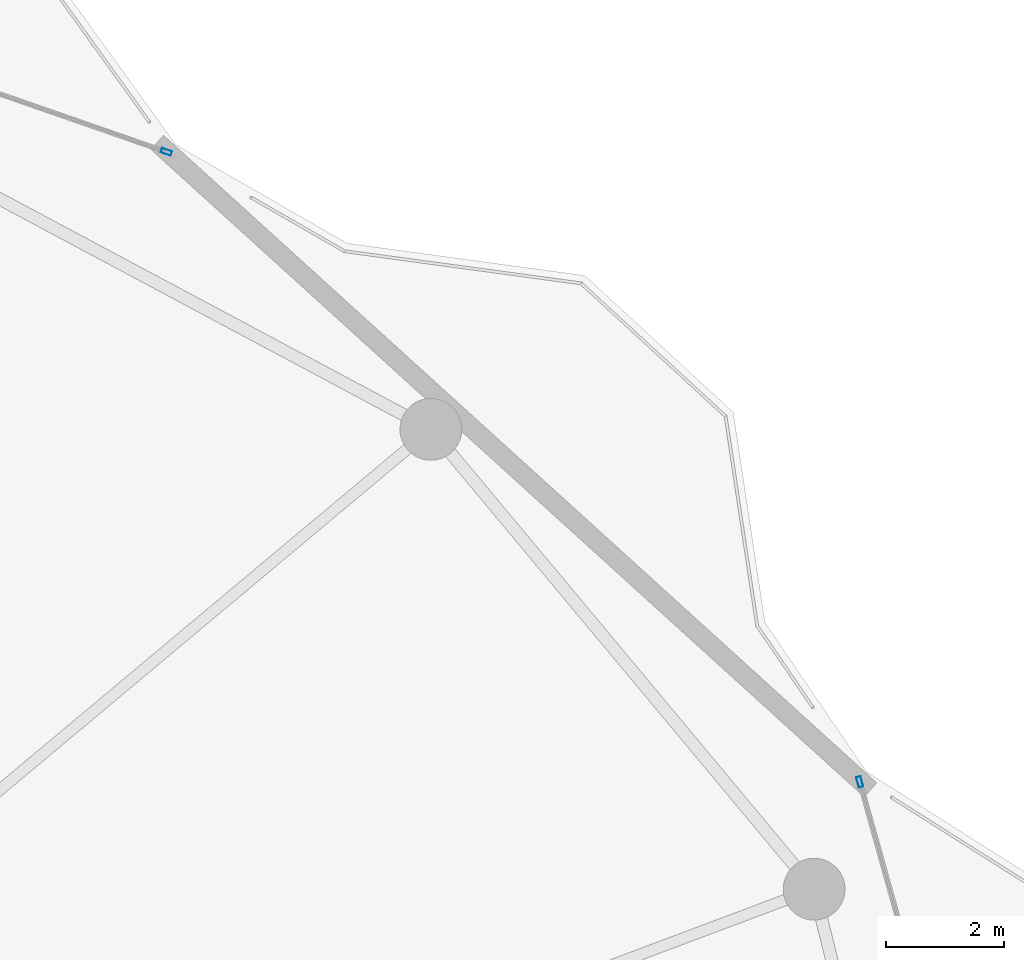
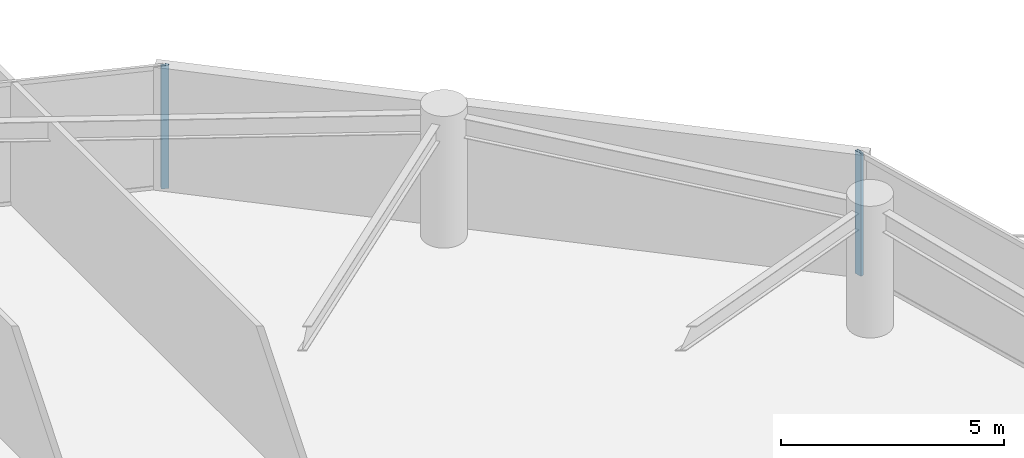
# One storey, part 21 of 28: 2 members, 2 elements without a shape of their own.
"""IFC4 building model written with IfcOpenShell, lengths in metres."""

from ifc_helpers import new_model, si_unit, direction, frame, origin, origin_2d, place, context, subcontext, project, spatial, hollow_rectangle, extrude, material, layer, layer_set, material_profile, profile_set, type_object, element, aggregate, save


model = new_model("IFC4")

# Units and contexts
model_context = context("Model", 3, precision=1e-05, world=origin(), true_north=direction((0.0, 1.0)))
body_context = subcontext(model_context, "Body", "Model", "MODEL_VIEW")
ifc_project = project(units=[si_unit("LENGTHUNIT", "METRE"), si_unit("AREAUNIT", "SQUARE_METRE"), si_unit("VOLUMEUNIT", "CUBIC_METRE"), si_unit("PLANEANGLEUNIT", "RADIAN"), si_unit("MASSUNIT", "GRAM", prefix="KILO")], contexts=[model_context])

# Site, building, storey
site_placement = place(None, origin())
site = spatial("IfcSite", under=ifc_project, at=site_placement, CompositionType="ELEMENT")
building_placement = place(site_placement, origin())
building = spatial("IfcBuilding", under=site, at=building_placement, Name="Kazevale Care Tower and Concert Hall", CompositionType="ELEMENT")
storey_placement = place(building_placement, frame((0.0, 0.0, 231.60009765625)))
storey = spatial("IfcBuildingStorey", under=building, at=storey_placement, Name="L61", CompositionType="ELEMENT", Elevation=231.60009765625)

# Curtain wall, member
ifc_material_1 = material(Name="Aluminium 6063-T6 and Low-E Glass", Category="aluminium")
ifc_layer_1 = layer(ifc_material_1, 0.179931640625)
ifc_layer_set_1 = layer_set([ifc_layer_1], Name="Aluminium 6063-T6 and Low-E Glass")
curtain_wall_type_1 = type_object("IfcCurtainWallType", Name="Convex Checkerboard Finned Curtain Wall CW-2", PredefinedType="NOTDEFINED", material=ifc_layer_set_1)
curtain_wall_1_placement = place(storey_placement, origin())
curtain_wall_1 = element("IfcCurtainWall", 1, at=curtain_wall_1_placement, inside=storey, type_object=curtain_wall_type_1, Name="cw:L61:f16", PredefinedType="NOTDEFINED")
ifc_material_2 = material(Name="Aluminium 6063-T6", Category="aluminium")
ifc_material_profile_1 = material_profile(ifc_material_2, hollow_rectangle(XDim=0.080078125, YDim=0.179931640625, WallThickness=0.0048828125, at=origin_2d()), Name="ALU80x180x5")
ifc_profile_set_1 = profile_set([ifc_material_profile_1], Name="Aluminium 6063-T6")
member_type_1 = type_object("IfcMemberType", Name="CW-2 Mullion ALU80x180x5", PredefinedType="MULLION", material=ifc_profile_set_1)
member_1_placement = place(storey_placement, frame((61.75732421875, 59.72216796875, 0.0), z_axis=(0.0, 0.0, 1.0), x_axis=(0.328583704497, 0.94447485363, 0.0)))
member_1 = element("IfcMember", 2, at=member_1_placement, type_object=member_type_1, Name="CW-2 mullion 2", PredefinedType="MULLION", context=body_context, shape_type="SweptSolid", body=[
    extrude(hollow_rectangle(XDim=0.080078125, YDim=0.179931640625, WallThickness=0.0048828125, at=origin_2d()), origin(), (0.0, 0.0, 1.0), 3.35986328125),
])
aggregate(curtain_wall_1, [member_1])

ifc_layer_2 = layer(ifc_material_1, 0.179931640625)
ifc_layer_set_2 = layer_set([ifc_layer_2], Name="Aluminium 6063-T6 and Low-E Glass")
curtain_wall_type_2 = type_object("IfcCurtainWallType", Name="Waist & Upper Residential Curtain Wall CW-4", PredefinedType="NOTDEFINED", material=ifc_layer_set_2)
curtain_wall_2_placement = place(storey_placement, origin())
curtain_wall_2 = element("IfcCurtainWall", 3, at=curtain_wall_2_placement, inside=storey, type_object=curtain_wall_type_2, Name="cw:L61:f18", PredefinedType="NOTDEFINED")
ifc_material_profile_2 = material_profile(ifc_material_2, hollow_rectangle(XDim=0.080078125, YDim=0.179931640625, WallThickness=0.0048828125, at=origin_2d()), Name="ALU80x180x5")
ifc_profile_set_2 = profile_set([ifc_material_profile_2], Name="Aluminium 6063-T6")
member_type_2 = type_object("IfcMemberType", Name="CW-4 Mullion ALU80x180x5", PredefinedType="MULLION", material=ifc_profile_set_2)
member_2_placement = place(storey_placement, frame((73.53369140625, 49.0234375, 0.0), z_axis=(0.0, 0.0, 1.0), x_axis=(0.962972156211, 0.269600864915, 0.0)))
member_2 = element("IfcMember", 4, at=member_2_placement, type_object=member_type_2, Name="CW-4 mullion 1", PredefinedType="MULLION", context=body_context, shape_type="SweptSolid", body=[
    extrude(hollow_rectangle(XDim=0.080078125, YDim=0.179931640625, WallThickness=0.0048828125, at=origin_2d()), origin(), (0.0, 0.0, 1.0), 3.35986328125),
])
aggregate(curtain_wall_2, [member_2])

save(model, "model.ifc")
